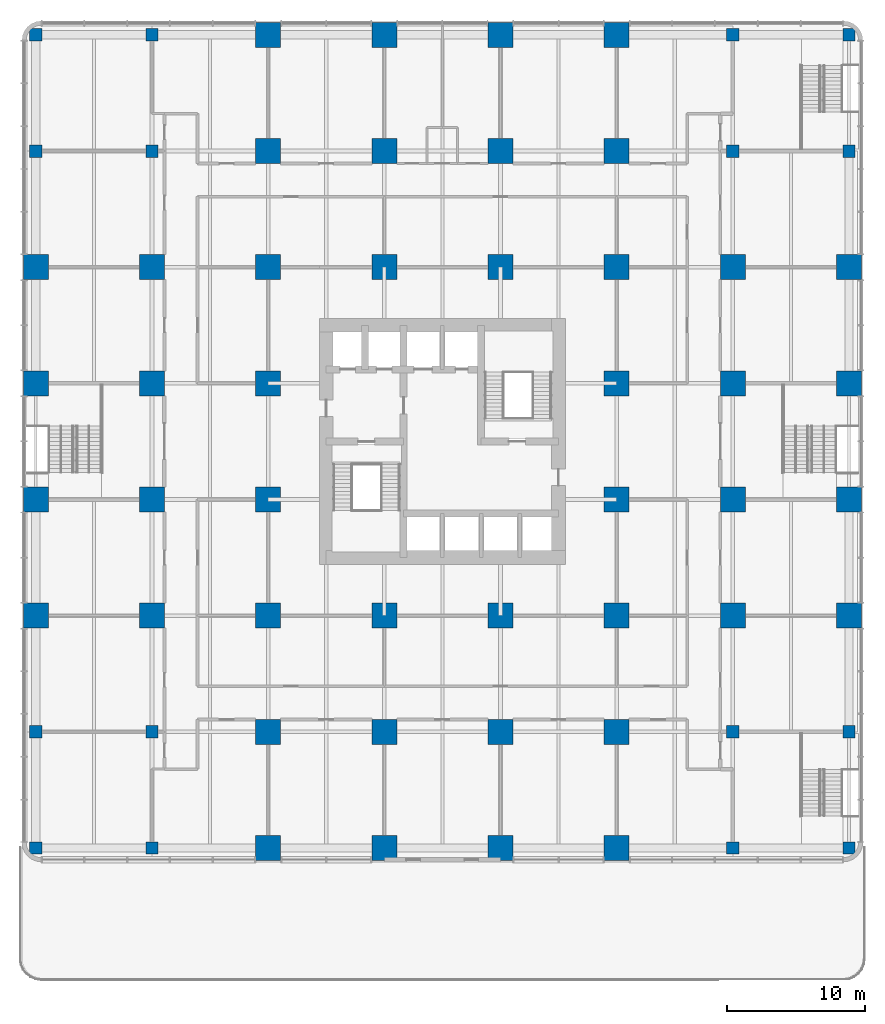
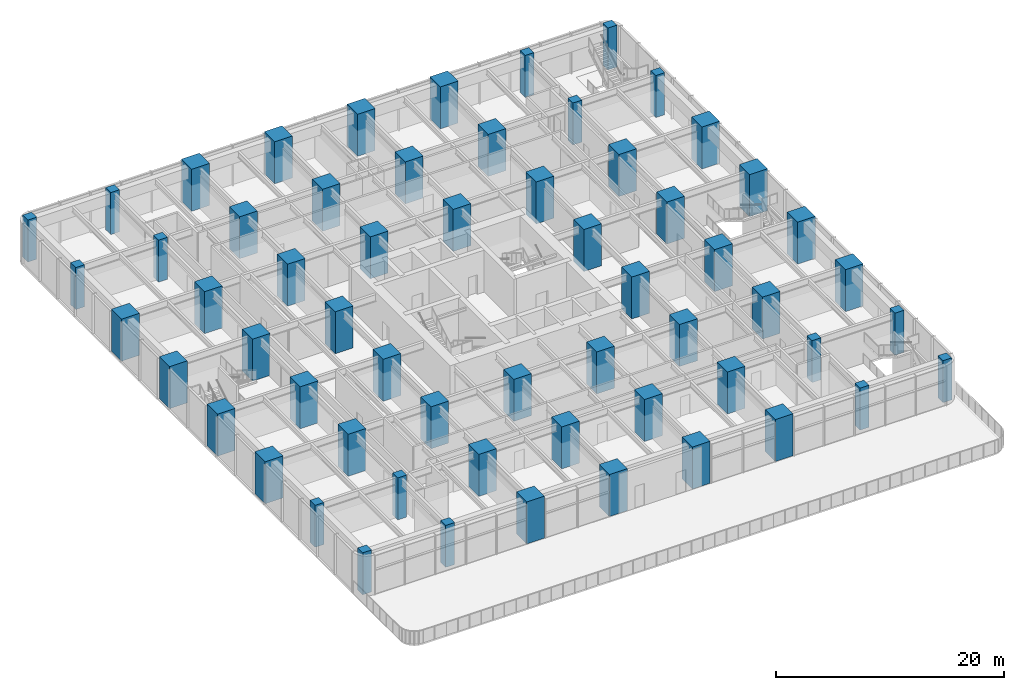
# One storey, part 1 of 19: 60 columns.
"""IFC4 building model written with IfcOpenShell, lengths in metres."""

from ifc_helpers import new_model, si_unit, direction, frame, origin, origin_2d, place, context, subcontext, project, spatial, rectangle, extrude, material, material_profile, profile_set, type_object, element, save


model = new_model("IFC4")

# Units and contexts
model_context = context("Model", 3, precision=1e-05, world=origin(), true_north=direction((0.0, 1.0)))
body_context = subcontext(model_context, "Body", "Model", "MODEL_VIEW")
ifc_project = project(units=[si_unit("LENGTHUNIT", "METRE"), si_unit("AREAUNIT", "SQUARE_METRE"), si_unit("VOLUMEUNIT", "CUBIC_METRE"), si_unit("PLANEANGLEUNIT", "RADIAN"), si_unit("MASSUNIT", "GRAM", prefix="KILO")], contexts=[model_context])

# Site, building, storey
site_placement = place(None, origin())
site = spatial("IfcSite", under=ifc_project, at=site_placement, CompositionType="ELEMENT")
building_placement = place(site_placement, origin())
building = spatial("IfcBuilding", under=site, at=building_placement, Name="Torre Alcanfor", CompositionType="ELEMENT")
storey_placement = place(building_placement, frame((0.0, 0.0, 15.0)))
storey = spatial("IfcBuildingStorey", under=building, at=storey_placement, Name="L03", CompositionType="ELEMENT", Elevation=15.0)

# Columns
ifc_material_1 = material(Name="Concrete f'c 70 MPa", Category="concrete")
ifc_material_profile_1 = material_profile(ifc_material_1, rectangle(XDim=1.800048828125, YDim=1.800048828125, at=origin_2d()), Name="1800x1800")
ifc_profile_set_1 = profile_set([ifc_material_profile_1], Name="Concrete f'c 70 MPa")
column_type_1 = type_object("IfcColumnType", Name="RC column 1800x1800 f'c70", PredefinedType="COLUMN", material=ifc_profile_set_1)
for number, where, z_axis, x_axis, name in (
    (1, (0.0, 16.800048828125, 0.0), (0.0, 0.0, 1.0), (1.0, 0.0, 0.0), "Column 1/E L03"),
    (2, (0.0, 25.199951171875, 0.0), (0.0, 0.0, 1.0), (1.0, 0.0, 0.0), "Column 1/F L03"),
    (3, (0.0, 33.60009765625, 0.0), (0.0, 0.0, 1.0), (1.0, 0.0, 0.0), "Column 1/G L03"),
    (4, (0.0, 42.0, 0.0), (0.0, 0.0, 1.0), (1.0, 0.0, 0.0), "Column 1/H L03"),
    (5, (8.39990234375, 16.800048828125, 0.0), (0.0, 0.0, 1.0), (1.0, 0.0, 0.0), "Column 2/E L03"),
    (6, (8.39990234375, 25.199951171875, 0.0), (0.0, 0.0, 1.0), (1.0, 0.0, 0.0), "Column 2/F L03"),
    (7, (8.39990234375, 33.60009765625, 0.0), (0.0, 0.0, 1.0), (1.0, 0.0, 0.0), "Column 2/G L03"),
    (8, (8.39990234375, 42.0, 0.0), (0.0, 0.0, 1.0), (1.0, 0.0, 0.0), "Column 2/H L03"),
    (9, (16.800048828125, 0.0, 0.0), (0.0, 0.0, 1.0), (1.0, 0.0, 0.0), "Column 3/C L03"),
    (10, (16.800048828125, 8.39990234375, 0.0), (0.0, 0.0, 1.0), (1.0, 0.0, 0.0), "Column 3/D L03"),
    (11, (16.800048828125, 16.800048828125, 0.0), (0.0, 0.0, 1.0), (1.0, 0.0, 0.0), "Column 3/E L03"),
    (12, (16.800048828125, 25.199951171875, 0.0), (0.0, 0.0, 1.0), (1.0, 0.0, 0.0), "Column 3/F L03"),
    (13, (16.800048828125, 33.60009765625, 0.0), (0.0, 0.0, 1.0), (1.0, 0.0, 0.0), "Column 3/G L03"),
    (14, (16.800048828125, 42.0, 0.0), (0.0, 0.0, 1.0), (1.0, 0.0, 0.0), "Column 3/H L03"),
    (15, (16.800048828125, 50.39990234375, 0.0), (0.0, 0.0, 1.0), (1.0, 0.0, 0.0), "Column 3/J L03"),
    (16, (16.800048828125, 58.800048828125, 0.0), (0.0, 0.0, 1.0), (1.0, 0.0, 0.0), "Column 3/K L03"),
    (17, (25.199951171875, 0.0, 0.0), (0.0, 0.0, 1.0), (1.0, 0.0, 0.0), "Column 4/C L03"),
    (18, (25.199951171875, 8.39990234375, 0.0), (0.0, 0.0, 1.0), (1.0, 0.0, 0.0), "Column 4/D L03"),
    (19, (25.199951171875, 16.800048828125, 0.0), (0.0, 0.0, 1.0), (1.0, 0.0, 0.0), "Column 4/E L03"),
    (20, (25.199951171875, 42.0, 0.0), (0.0, 0.0, 1.0), (1.0, 0.0, 0.0), "Column 4/H L03"),
    (21, (25.199951171875, 50.39990234375, 0.0), (0.0, 0.0, 1.0), (1.0, 0.0, 0.0), "Column 4/J L03"),
    (22, (25.199951171875, 58.800048828125, 0.0), (0.0, 0.0, 1.0), (1.0, 0.0, 0.0), "Column 4/K L03"),
    (23, (33.60009765625, 0.0, 0.0), (0.0, 0.0, 1.0), (1.0, 0.0, 0.0), "Column 5/C L03"),
    (24, (33.60009765625, 8.39990234375, 0.0), (0.0, 0.0, 1.0), (1.0, 0.0, 0.0), "Column 5/D L03"),
    (25, (33.60009765625, 16.800048828125, 0.0), (0.0, 0.0, 1.0), (1.0, 0.0, 0.0), "Column 5/E L03"),
    (26, (33.60009765625, 42.0, 0.0), (0.0, 0.0, 1.0), (1.0, 0.0, 0.0), "Column 5/H L03"),
    (27, (33.60009765625, 50.39990234375, 0.0), (0.0, 0.0, 1.0), (1.0, 0.0, 0.0), "Column 5/J L03"),
    (28, (33.60009765625, 58.800048828125, 0.0), (0.0, 0.0, 1.0), (1.0, 0.0, 0.0), "Column 5/K L03"),
    (29, (42.0, 0.0, 0.0), (0.0, 0.0, 1.0), (1.0, 0.0, 0.0), "Column 6/C L03"),
    (30, (42.0, 8.39990234375, 0.0), (0.0, 0.0, 1.0), (1.0, 0.0, 0.0), "Column 6/D L03"),
    (31, (42.0, 16.800048828125, 0.0), (0.0, 0.0, 1.0), (1.0, 0.0, 0.0), "Column 6/E L03"),
    (32, (42.0, 25.199951171875, 0.0), (0.0, 0.0, 1.0), (1.0, 0.0, 0.0), "Column 6/F L03"),
    (33, (42.0, 33.60009765625, 0.0), (0.0, 0.0, 1.0), (1.0, 0.0, 0.0), "Column 6/G L03"),
    (34, (42.0, 42.0, 0.0), (0.0, 0.0, 1.0), (1.0, 0.0, 0.0), "Column 6/H L03"),
    (35, (42.0, 50.39990234375, 0.0), (0.0, 0.0, 1.0), (1.0, 0.0, 0.0), "Column 6/J L03"),
    (36, (42.0, 58.800048828125, 0.0), (0.0, 0.0, 1.0), (1.0, 0.0, 0.0), "Column 6/K L03"),
    (37, (50.39990234375, 16.800048828125, 0.0), (0.0, 0.0, 1.0), (1.0, 0.0, 0.0), "Column 7/E L03"),
    (38, (50.39990234375, 25.199951171875, 0.0), (0.0, 0.0, 1.0), (1.0, 0.0, 0.0), "Column 7/F L03"),
    (39, (50.39990234375, 33.60009765625, 0.0), (0.0, 0.0, 1.0), (1.0, 0.0, 0.0), "Column 7/G L03"),
    (40, (50.39990234375, 42.0, 0.0), (0.0, 0.0, 1.0), (1.0, 0.0, 0.0), "Column 7/H L03"),
    (41, (58.800048828125, 16.800048828125, 0.0), (0.0, 0.0, 1.0), (1.0, 0.0, 0.0), "Column 8/E L03"),
    (42, (58.800048828125, 25.199951171875, 0.0), (0.0, 0.0, 1.0), (1.0, 0.0, 0.0), "Column 8/F L03"),
    (43, (58.800048828125, 33.60009765625, 0.0), (0.0, 0.0, 1.0), (1.0, 0.0, 0.0), "Column 8/G L03"),
    (44, (58.800048828125, 42.0, 0.0), (0.0, 0.0, 1.0), (1.0, 0.0, 0.0), "Column 8/H L03"),
):
    element("IfcColumn", number, at=place(storey_placement, frame(where, z_axis=z_axis, x_axis=x_axis)), inside=storey, type_object=column_type_1, Name=name, PredefinedType="COLUMN", context=body_context, shape_type="SweptSolid", body=[
        extrude(rectangle(XDim=1.800048828125, YDim=1.800048828125, at=origin_2d()), origin(), (0.0, 0.0, 1.0), 4.5),
    ])
ifc_material_2 = material(Name="Concrete f'c 70 MPa", Category="concrete")
ifc_material_profile_2 = material_profile(ifc_material_2, rectangle(XDim=0.89990234375, YDim=0.89990234375, at=origin_2d()), Name="900x900")
ifc_profile_set_2 = profile_set([ifc_material_profile_2], Name="Concrete f'c 70 MPa")
column_type_2 = type_object("IfcColumnType", Name="RC column 900x900 f'c70", PredefinedType="COLUMN", material=ifc_profile_set_2)
for number, where, z_axis, x_axis, name in (
    (45, (0.0, 0.0, 0.0), (0.0, 0.0, 1.0), (1.0, 0.0, 0.0), "Column 1/C L03"),
    (46, (0.0, 8.39990234375, 0.0), (0.0, 0.0, 1.0), (1.0, 0.0, 0.0), "Column 1/D L03"),
    (47, (0.0, 50.39990234375, 0.0), (0.0, 0.0, 1.0), (1.0, 0.0, 0.0), "Column 1/J L03"),
    (48, (0.0, 58.800048828125, 0.0), (0.0, 0.0, 1.0), (1.0, 0.0, 0.0), "Column 1/K L03"),
    (49, (8.39990234375, 0.0, 0.0), (0.0, 0.0, 1.0), (1.0, 0.0, 0.0), "Column 2/C L03"),
    (50, (8.39990234375, 8.39990234375, 0.0), (0.0, 0.0, 1.0), (1.0, 0.0, 0.0), "Column 2/D L03"),
    (51, (8.39990234375, 50.39990234375, 0.0), (0.0, 0.0, 1.0), (1.0, 0.0, 0.0), "Column 2/J L03"),
    (52, (8.39990234375, 58.800048828125, 0.0), (0.0, 0.0, 1.0), (1.0, 0.0, 0.0), "Column 2/K L03"),
    (53, (50.39990234375, 0.0, 0.0), (0.0, 0.0, 1.0), (1.0, 0.0, 0.0), "Column 7/C L03"),
    (54, (50.39990234375, 8.39990234375, 0.0), (0.0, 0.0, 1.0), (1.0, 0.0, 0.0), "Column 7/D L03"),
    (55, (50.39990234375, 50.39990234375, 0.0), (0.0, 0.0, 1.0), (1.0, 0.0, 0.0), "Column 7/J L03"),
    (56, (50.39990234375, 58.800048828125, 0.0), (0.0, 0.0, 1.0), (1.0, 0.0, 0.0), "Column 7/K L03"),
    (57, (58.800048828125, 0.0, 0.0), (0.0, 0.0, 1.0), (1.0, 0.0, 0.0), "Column 8/C L03"),
    (58, (58.800048828125, 8.39990234375, 0.0), (0.0, 0.0, 1.0), (1.0, 0.0, 0.0), "Column 8/D L03"),
    (59, (58.800048828125, 50.39990234375, 0.0), (0.0, 0.0, 1.0), (1.0, 0.0, 0.0), "Column 8/J L03"),
    (60, (58.800048828125, 58.800048828125, 0.0), (0.0, 0.0, 1.0), (1.0, 0.0, 0.0), "Column 8/K L03"),
):
    element("IfcColumn", number, at=place(storey_placement, frame(where, z_axis=z_axis, x_axis=x_axis)), inside=storey, type_object=column_type_2, Name=name, PredefinedType="COLUMN", context=body_context, shape_type="SweptSolid", body=[
        extrude(rectangle(XDim=0.89990234375, YDim=0.89990234375, at=origin_2d()), origin(), (0.0, 0.0, 1.0), 4.5),
    ])

save(model, "model.ifc")
